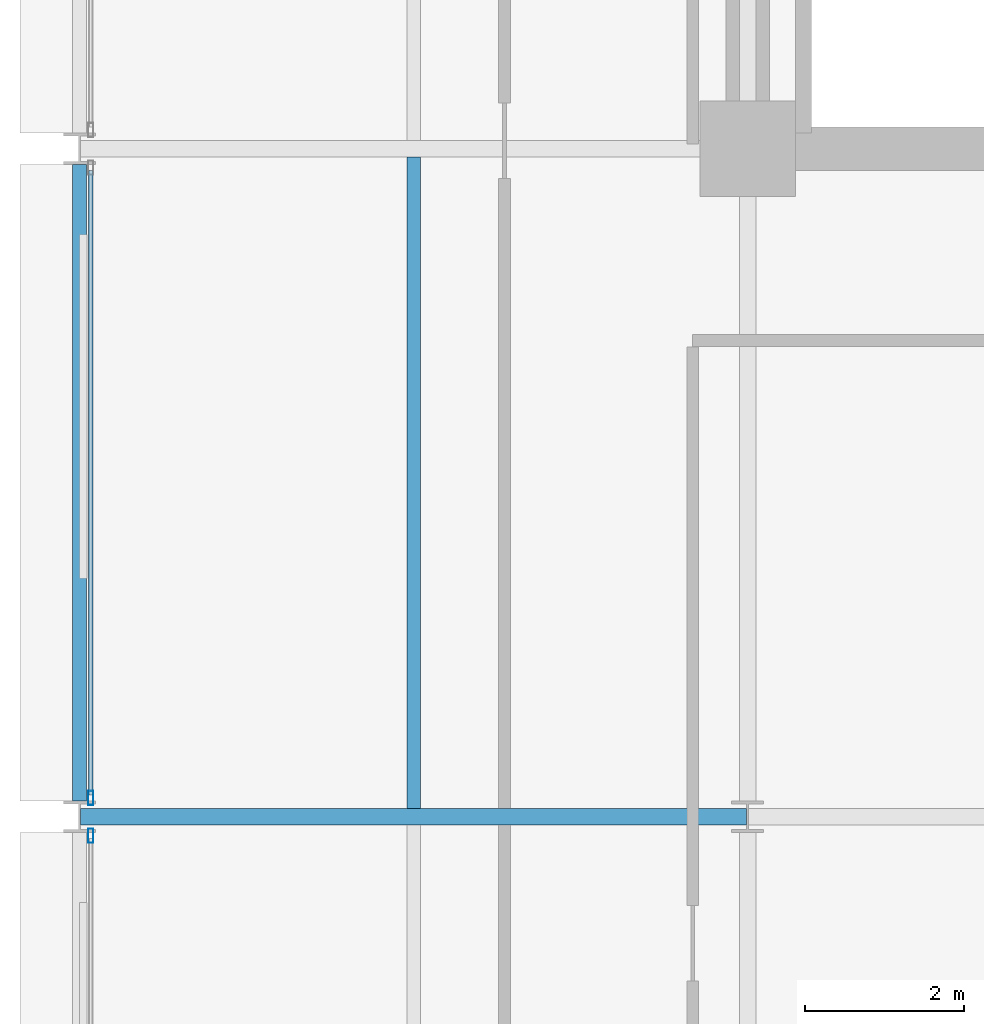
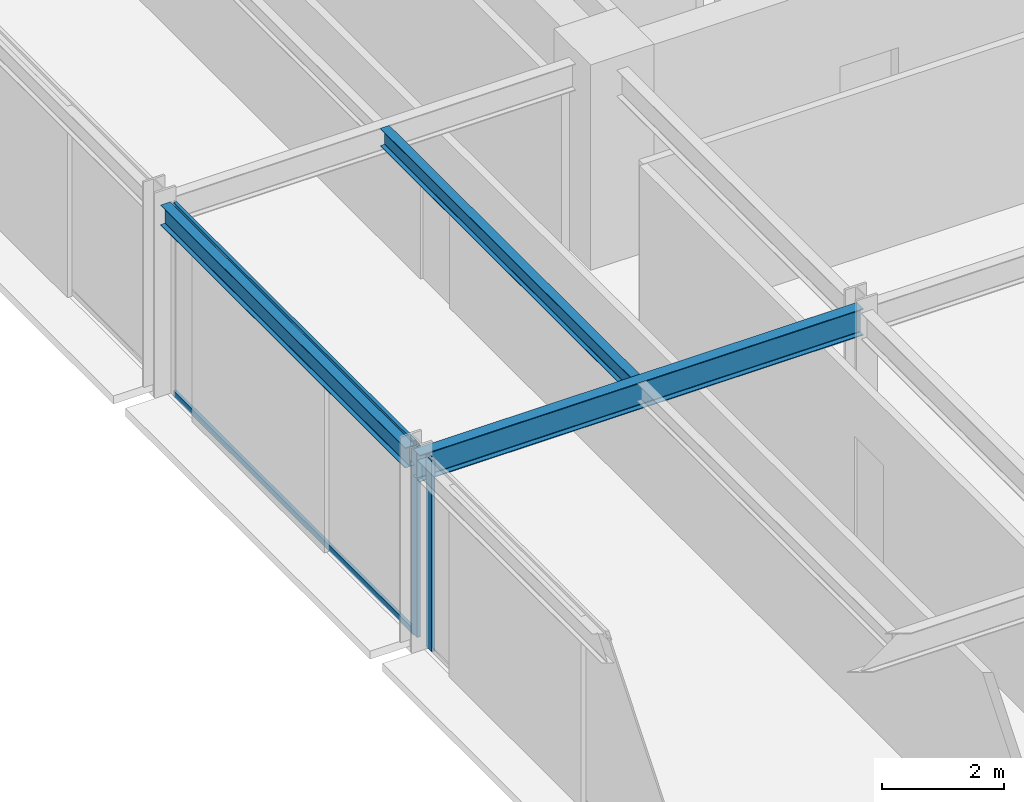
# One storey, part 11 of 39: 4 members, 3 beams, 2 elements without a shape of their own.
"""IFC4 building model written with IfcOpenShell, lengths in metres."""

from ifc_helpers import new_model, si_unit, direction, frame, origin, origin_2d, place, context, subcontext, project, spatial, hollow_rectangle, i_section, extrude, material, layer, layer_set, material_profile, profile_set, type_object, element, aggregate, save


model = new_model("IFC4")

# Units and contexts
model_context = context("Model", 3, precision=1e-05, world=origin(), true_north=direction((0.0, 1.0)))
body_context = subcontext(model_context, "Body", "Model", "MODEL_VIEW")
ifc_project = project(units=[si_unit("LENGTHUNIT", "METRE"), si_unit("AREAUNIT", "SQUARE_METRE"), si_unit("VOLUMEUNIT", "CUBIC_METRE"), si_unit("PLANEANGLEUNIT", "RADIAN"), si_unit("MASSUNIT", "GRAM", prefix="KILO")], contexts=[model_context])

# Site, building, storey
site_placement = place(None, origin())
site = spatial("IfcSite", under=ifc_project, at=site_placement, CompositionType="ELEMENT")
building_placement = place(site_placement, origin())
building = spatial("IfcBuilding", under=site, at=building_placement, Name="Nerrivon Quay Data Exchange", CompositionType="ELEMENT")
storey_placement = place(building_placement, frame((0.0, 0.0, 92.60009765625)))
storey = spatial("IfcBuildingStorey", under=building, at=storey_placement, Name="L21", CompositionType="ELEMENT", Elevation=92.60009765625)

# Beams
ifc_material_1 = material(Name="Steel Grade 350", Category="steel")
ifc_material_profile_1 = material_profile(ifc_material_1, i_section(OverallWidth=0.208984375, OverallDepth=0.532958984375, WebThickness=0.01025390625, FlangeThickness=0.015625, FilletRadius=0.013916015625, at=origin_2d()), Name="530UB92.4")
ifc_profile_set_1 = profile_set([ifc_material_profile_1], Name="Steel Grade 350")
beam_type_1 = type_object("IfcBeamType", Name="BM-G3-530UB92", PredefinedType="BEAM", material=ifc_profile_set_1)
beam_1_placement = place(storey_placement, frame((0.012451171875, 16.800048828125, 3.558349609375), z_axis=(1.0, 0.0, 0.0), x_axis=(0.0, 1.0, 0.0)))
element("IfcBeam", 1, at=beam_1_placement, inside=storey, type_object=beam_type_1, Name="L21 EW Girder Y=16.8 (0.0..8.4)", PredefinedType="BEAM", context=body_context, shape_type="SweptSolid", body=[
    extrude(i_section(OverallWidth=0.208984375, OverallDepth=0.532958984375, WebThickness=0.01025390625, FlangeThickness=0.015625, FilletRadius=0.013916015625, at=origin_2d()), origin(), (0.0, 0.0, 1.0), 8.375),
])
ifc_material_profile_2 = material_profile(ifc_material_1, i_section(OverallWidth=0.1708984375, OverallDepth=0.35595703125, WebThickness=0.00732421875, FlangeThickness=0.011474609375, FilletRadius=0.011474609375, at=origin_2d()), Name="360UB50.7")
ifc_profile_set_2 = profile_set([ifc_material_profile_2], Name="Steel Grade 350")
beam_type_2 = type_object("IfcBeamType", Name="BM-J4-360UB51", PredefinedType="JOIST", material=ifc_profile_set_2)
beam_2_placement = place(storey_placement, frame((4.199951171875, 16.904541015625, 3.64697265625), z_axis=(0.0, 1.0, 0.0), x_axis=(-1.0, 0.0, 0.0)))
element("IfcBeam", 2, at=beam_2_placement, inside=storey, type_object=beam_type_2, Name="L21 Secondary Joist X=4.2 (16.8..25.2)", PredefinedType="JOIST", context=body_context, shape_type="SweptSolid", body=[
    extrude(i_section(OverallWidth=0.1708984375, OverallDepth=0.35595703125, WebThickness=0.00732421875, FlangeThickness=0.011474609375, FilletRadius=0.011474609375, at=origin_2d()), origin(), (0.0, 0.0, 1.0), 8.19091796875),
])
ifc_material_profile_3 = material_profile(ifc_material_1, i_section(OverallWidth=0.177978515625, OverallDepth=0.403076171875, WebThickness=0.007568359375, FlangeThickness=0.010986328125, FilletRadius=0.011474609375, at=origin_2d()), Name="410UB53.7")
ifc_profile_set_3 = profile_set([ifc_material_profile_3], Name="Steel Grade 350")
beam_type_3 = type_object("IfcBeamType", Name="BM-SP2-410UB54", PredefinedType="SPANDREL", material=ifc_profile_set_3)
beam_3_placement = place(storey_placement, frame((0.0, 17.0, 3.623291015625), z_axis=(0.0, 1.0, 0.0), x_axis=(-1.0, 0.0, 0.0)))
element("IfcBeam", 3, at=beam_3_placement, inside=storey, type_object=beam_type_3, Name="L21 NS Girder X=0.0 (16.8..25.2)", PredefinedType="SPANDREL", context=body_context, shape_type="SweptSolid", body=[
    extrude(i_section(OverallWidth=0.177978515625, OverallDepth=0.403076171875, WebThickness=0.007568359375, FlangeThickness=0.010986328125, FilletRadius=0.011474609375, at=origin_2d()), origin(), (0.0, 0.0, 1.0), 8.0),
])

# Curtain wall, member
ifc_material_2 = material(Name="Anodised aluminium 6063-T6", Category="aluminium")
ifc_layer = layer(ifc_material_2, 0.2099609375)
ifc_layer_set = layer_set([ifc_layer], Name="Anodised aluminium 6063-T6")
curtain_wall_type = type_object("IfcCurtainWallType", Name="CW-SYS-02", PredefinedType="NOTDEFINED", material=ifc_layer_set)
curtain_wall_1_placement = place(storey_placement, origin())
curtain_wall_1 = element("IfcCurtainWall", 4, at=curtain_wall_1_placement, inside=storey, type_object=curtain_wall_type, Name="L21 Unitised Curtain Wall 18", PredefinedType="NOTDEFINED")
ifc_material_profile_4 = material_profile(ifc_material_2, hollow_rectangle(XDim=0.06494140625, YDim=0.179931640625, WallThickness=0.00341796875, at=origin_2d()), Name="ALU-MULL-180x65")
ifc_profile_set_4 = profile_set([ifc_material_profile_4], Name="Anodised aluminium 6063-T6")
member_type_1 = type_object("IfcMemberType", Name="CWM-180x65", PredefinedType="MULLION", material=ifc_profile_set_4)
member_1_placement = place(storey_placement, frame((0.139892578125, 16.5625, 0.0), z_axis=(0.0, 0.0, 1.0), x_axis=(-1.0, 0.0, 0.0)))
member_1 = element("IfcMember", 5, at=member_1_placement, type_object=member_type_1, Name="CW02 mullion 2", PredefinedType="MULLION", context=body_context, shape_type="SweptSolid", body=[
    extrude(hollow_rectangle(XDim=0.06494140625, YDim=0.179931640625, WallThickness=0.00341796875, at=origin_2d()), origin(), (0.0, 0.0, 1.0), 3.824951171875),
])
aggregate(curtain_wall_1, [member_1])

# Curtain wall, members
curtain_wall_2_placement = place(storey_placement, origin())
curtain_wall_2 = element("IfcCurtainWall", 6, at=curtain_wall_2_placement, inside=storey, type_object=curtain_wall_type, Name="L21 Unitised Curtain Wall 19", PredefinedType="NOTDEFINED")
member_2_placement = place(storey_placement, frame((0.139892578125, 17.03759765625, 0.0), z_axis=(0.0, 0.0, 1.0), x_axis=(-1.0, 0.0, 0.0)))
member_2 = element("IfcMember", 7, at=member_2_placement, type_object=member_type_1, Name="CW02 mullion 1", PredefinedType="MULLION", context=body_context, shape_type="SweptSolid", body=[
    extrude(hollow_rectangle(XDim=0.06494140625, YDim=0.179931640625, WallThickness=0.00341796875, at=origin_2d()), origin(), (0.0, 0.0, 1.0), 3.824951171875),
])
ifc_material_profile_5 = material_profile(ifc_material_2, hollow_rectangle(XDim=0.06005859375, YDim=0.1201171875, WallThickness=0.003173828125, at=origin_2d()), Name="ALU-TRAN-120x60")
ifc_profile_set_5 = profile_set([ifc_material_profile_5], Name="Anodised aluminium 6063-T6")
member_type_2 = type_object("IfcMemberType", Name="CWT-120x60", PredefinedType="USERDEFINED", material=ifc_profile_set_5)
member_3_placement = place(storey_placement, frame((0.139892578125, 17.074951171875, 0.032470703125), z_axis=(0.0, 1.0, 0.0), x_axis=(-1.0, 0.0, 0.0)))
member_3 = element("IfcMember", 8, at=member_3_placement, type_object=member_type_2, Name="CW02 transom 1.1", ObjectType="TRANSOM", PredefinedType="USERDEFINED", context=body_context, shape_type="SweptSolid", body=[
    extrude(hollow_rectangle(XDim=0.06005859375, YDim=0.1201171875, WallThickness=0.003173828125, at=origin_2d()), origin(), (0.0, 0.0, 1.0), 7.85009765625),
])
member_4_placement = place(storey_placement, frame((0.139892578125, 17.074951171875, 3.79248046875), z_axis=(0.0, 1.0, 0.0), x_axis=(-1.0, 0.0, 0.0)))
member_4 = element("IfcMember", 9, at=member_4_placement, type_object=member_type_2, Name="CW02 transom 1.2", ObjectType="TRANSOM", PredefinedType="USERDEFINED", context=body_context, shape_type="SweptSolid", body=[
    extrude(hollow_rectangle(XDim=0.06005859375, YDim=0.1201171875, WallThickness=0.003173828125, at=origin_2d()), origin(), (0.0, 0.0, 1.0), 7.85009765625),
])
aggregate(curtain_wall_2, [member_2, member_3, member_4])

save(model, "model.ifc")
